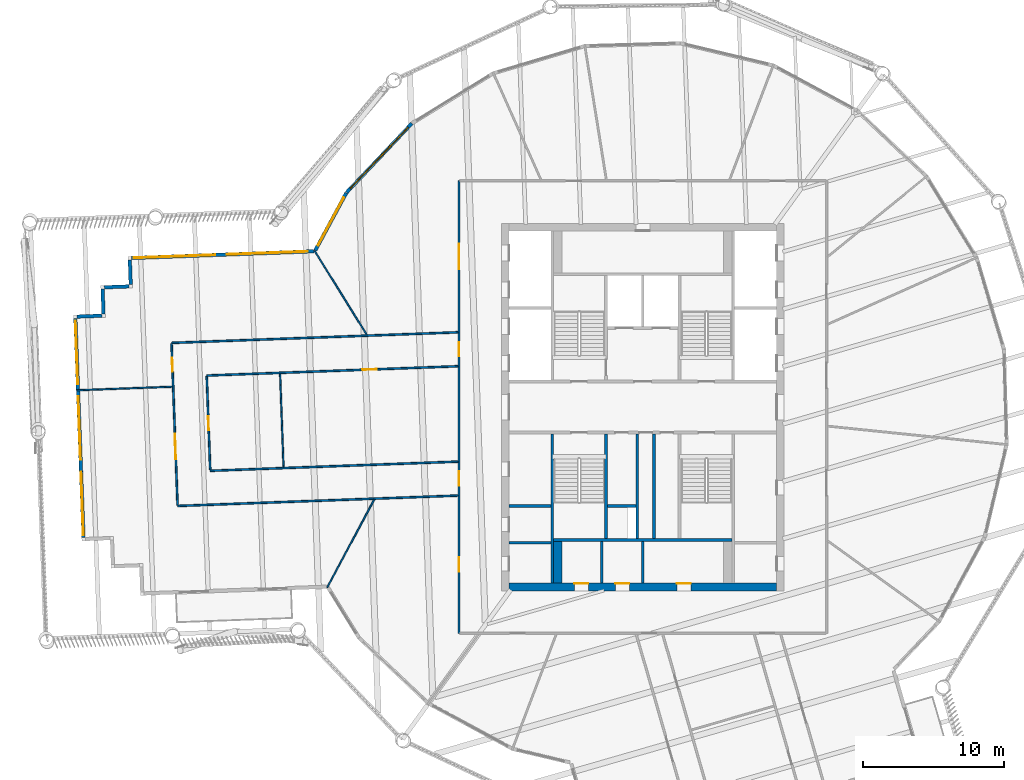
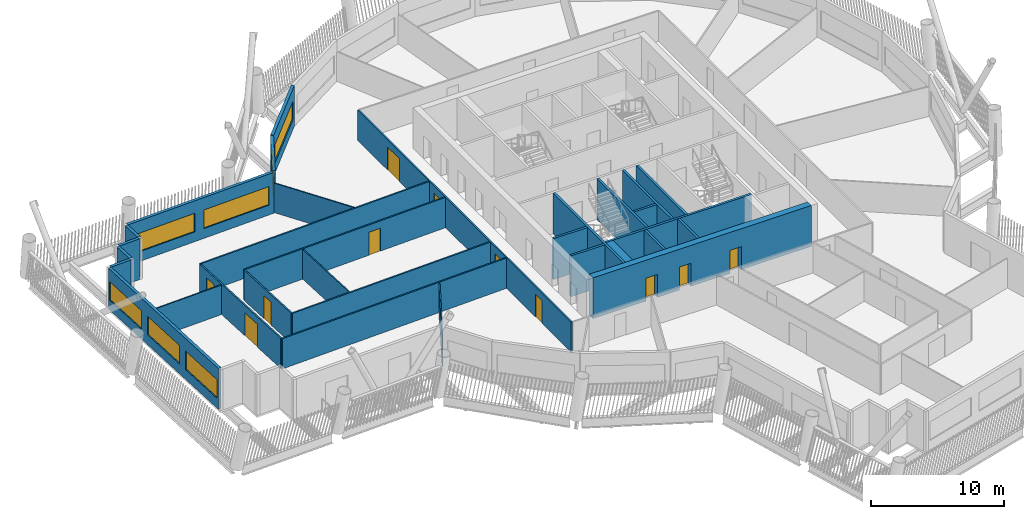
# One storey, part 4 of 20: 31 walls, 11 doors, 7 windows, 18 openings.
"""IFC4 building model written with IfcOpenShell, lengths in metres."""

from ifc_helpers import new_model, si_unit, direction, frame, frame_2d, origin, place, context, subcontext, project, spatial, rectangle, extrude, material, layer, layer_set, type_object, element, fill, save


model = new_model("IFC4")

# Units and contexts
model_context = context("Model", 3, precision=1e-05, world=origin(), true_north=direction((0.0, 1.0)))
body_context = subcontext(model_context, "Body", "Model", "MODEL_VIEW")
ifc_project = project(units=[si_unit("LENGTHUNIT", "METRE"), si_unit("AREAUNIT", "SQUARE_METRE"), si_unit("VOLUMEUNIT", "CUBIC_METRE"), si_unit("PLANEANGLEUNIT", "RADIAN"), si_unit("MASSUNIT", "GRAM", prefix="KILO")], contexts=[model_context])

# Site, building, storey
site_placement = place(None, origin())
site = spatial("IfcSite", under=ifc_project, at=site_placement, CompositionType="ELEMENT")
building_placement = place(site_placement, origin())
building = spatial("IfcBuilding", under=site, at=building_placement, Name="Tarsis Ring Headquarters", CompositionType="ELEMENT")
storey_placement = place(building_placement, frame((0.0, 0.0, 294.199951171875)))
storey = spatial("IfcBuildingStorey", under=building, at=storey_placement, Name="L69", CompositionType="ELEMENT", Elevation=294.199951171875)

# Walls
ifc_material_1 = material(Name="Blockwork", Category="masonry")
ifc_layer_1 = layer(ifc_material_1, 0.199951171875)
ifc_layer_set_1 = layer_set([ifc_layer_1], Name="Core blockwork wall 200")
wall_type_1 = type_object("IfcWallType", Name="Core blockwork wall 200", PredefinedType="PARTITIONING", material=ifc_layer_set_1)
for number, where, z_axis, x_axis, name in (
    (1, (-9.449951171875, -9.60009765625, 0.0), (0.0, 0.0, 1.0), (1.0, 0.0, 0.0), "Core partition WD1"),
    (2, (-9.449951171875, -7.0, 0.0), (0.0, 0.0, 1.0), (1.0, 0.0, 0.0), "Core partition WD2"),
    (3, (-2.89990234375, -12.449951171875, 0.0), (0.0, 0.0, 1.0), (0.0, 1.0, 0.0), "Core partition SD1"),
    (4, (0.0, -12.449951171875, 0.0), (0.0, 0.0, 1.0), (0.0, 1.0, 0.0), "Core partition SD2"),
):
    element("IfcWall", number, at=place(storey_placement, frame(where, z_axis=z_axis, x_axis=x_axis)), inside=storey, type_object=wall_type_1, Name=name, PredefinedType="PARTITIONING", context=body_context, shape_type="SweptSolid", body=[
        extrude(rectangle(XDim=2.949951171875, YDim=0.199951171875, at=frame_2d((1.47509765625, 0.0))), origin(), (0.0, 0.0, 1.0), 3.739990234375),
    ])
wall_1_placement = place(storey_placement, frame((-2.5, -7.0, 0.0), z_axis=(0.0, 0.0, 1.0), x_axis=(1.0, 0.0, 0.0)))
element("IfcWall", 5, at=wall_1_placement, inside=storey, type_object=wall_type_1, Name="Core partition SP1", PredefinedType="PARTITIONING", context=body_context, shape_type="SweptSolid", body=[
    extrude(rectangle(XDim=2.0, YDim=0.199951171875, at=frame_2d((1.0, 0.0))), origin(), (0.0, 0.0, 1.0), 3.739990234375),
])
for number, where, z_axis, x_axis, name in (
    (6, (-0.39990234375, -9.300048828125, 0.0), (0.0, 0.0, 1.0), (0.0, 1.0, 0.0), "Core partition SV1"),
    (7, (0.800048828125, -9.300048828125, 0.0), (0.0, 0.0, 1.0), (0.0, 1.0, 0.0), "Core partition SV2"),
):
    element("IfcWall", number, at=place(storey_placement, frame(where, z_axis=z_axis, x_axis=x_axis)), inside=storey, type_object=wall_type_1, Name=name, PredefinedType="PARTITIONING", context=body_context, shape_type="SweptSolid", body=[
        extrude(rectangle(XDim=7.400146484375, YDim=0.199951171875, at=frame_2d((3.7001953125, 0.0))), origin(), (0.0, 0.0, 1.0), 3.739990234375),
    ])

# Wall, openings, doors
ifc_material_2 = material(Name="Concrete C50/60", Category="concrete")
ifc_layer_2 = layer(ifc_material_2, 0.550048828125)
ifc_layer_set_2 = layer_set([ifc_layer_2], Name="Core wall 550 C50/60")
wall_type_2 = type_object("IfcWallType", Name="Core wall 550 C50/60", PredefinedType="SHEAR", material=ifc_layer_set_2)
wall_2_placement = place(storey_placement, frame((-9.449951171875, -12.72509765625, 0.0), z_axis=(0.0, 0.0, 1.0), x_axis=(1.0, 0.0, 0.0)))
wall_2 = element("IfcWall", 8, at=wall_2_placement, inside=storey, type_object=wall_type_2, Name="Core wall OS", PredefinedType="SHEAR", context=body_context, shape_type="SweptSolid", body=[
    extrude(rectangle(XDim=18.89990234375, YDim=0.550048828125, at=frame_2d((9.449951171875, 0.0))), origin(), (0.0, 0.0, 1.0), 3.739990234375),
])
opening_1_placement = place(wall_2_placement, frame((4.60009765625, 0.0, 0.0)))
opening_1 = element("IfcOpeningElement", 9, at=opening_1_placement, cuts=wall_2, Name="Opening L69-C17", PredefinedType="OPENING", context=body_context, shape_type="SweptSolid", body=[
    extrude(rectangle(XDim=1.0, YDim=2.10009765625, at=frame_2d((0.5, 1.050048828125))), frame((0.0, 0.284912109375, 0.0), z_axis=(0.0, -1.0, 0.0), x_axis=(1.0, 0.0, 0.0)), (0.0, 0.0, 1.0), 0.570068359375),
])
opening_2_placement = place(wall_2_placement, frame((7.5, 0.0, 0.0)))
opening_2 = element("IfcOpeningElement", 10, at=opening_2_placement, cuts=wall_2, Name="Opening L69-C18", PredefinedType="OPENING", context=body_context, shape_type="SweptSolid", body=[
    extrude(rectangle(XDim=1.0, YDim=2.10009765625, at=frame_2d((0.5, 1.050048828125))), frame((0.0, 0.284912109375, 0.0), z_axis=(0.0, -1.0, 0.0), x_axis=(1.0, 0.0, 0.0)), (0.0, 0.0, 1.0), 0.570068359375),
])
opening_3_placement = place(wall_2_placement, frame((11.85009765625, 0.0, 0.0)))
opening_3 = element("IfcOpeningElement", 11, at=opening_3_placement, cuts=wall_2, Name="Opening L69-C19", PredefinedType="OPENING", context=body_context, shape_type="SweptSolid", body=[
    extrude(rectangle(XDim=1.0, YDim=2.10009765625, at=frame_2d((0.5, 1.050048828125))), frame((0.0, 0.284912109375, 0.0), z_axis=(0.0, -1.0, 0.0), x_axis=(1.0, 0.0, 0.0)), (0.0, 0.0, 1.0), 0.570068359375),
])
ifc_material_3 = material(Name="Steel S355", Category="steel")
door_type_1 = type_object("IfcDoorType", Name="Core room door 1000x2100", OperationType="SINGLE_SWING_LEFT", PredefinedType="DOOR", material=ifc_material_3)
door_1_placement = place(opening_1_placement, origin())
door_1 = element("IfcDoor", 12, at=door_1_placement, inside=storey, type_object=door_type_1, Name="Core room door L69", OperationType="SINGLE_SWING_LEFT", OverallHeight=2.10009765625, OverallWidth=1.0, PredefinedType="DOOR", context=body_context, shape_type="SweptSolid", body=[
    extrude(rectangle(XDim=1.0, YDim=2.10009765625, at=frame_2d((0.5, 1.050048828125))), frame((0.0, 0.27490234375, 0.0), z_axis=(0.0, -1.0, 0.0), x_axis=(1.0, 0.0, 0.0)), (0.0, 0.0, 1.0), 0.050048828125),
])
fill(opening_1, door_1)
door_2_placement = place(opening_2_placement, origin())
door_2 = element("IfcDoor", 13, at=door_2_placement, inside=storey, type_object=door_type_1, Name="Core room door L69", OperationType="SINGLE_SWING_LEFT", OverallHeight=2.10009765625, OverallWidth=1.0, PredefinedType="DOOR", context=body_context, shape_type="SweptSolid", body=[
    extrude(rectangle(XDim=1.0, YDim=2.10009765625, at=frame_2d((0.5, 1.050048828125))), frame((0.0, 0.27490234375, 0.0), z_axis=(0.0, -1.0, 0.0), x_axis=(1.0, 0.0, 0.0)), (0.0, 0.0, 1.0), 0.050048828125),
])
fill(opening_2, door_2)
door_3_placement = place(opening_3_placement, origin())
door_3 = element("IfcDoor", 14, at=door_3_placement, inside=storey, type_object=door_type_1, Name="Core room door L69", OperationType="SINGLE_SWING_LEFT", OverallHeight=2.10009765625, OverallWidth=1.0, PredefinedType="DOOR", context=body_context, shape_type="SweptSolid", body=[
    extrude(rectangle(XDim=1.0, YDim=2.10009765625, at=frame_2d((0.5, 1.050048828125))), frame((0.0, 0.27490234375, 0.0), z_axis=(0.0, -1.0, 0.0), x_axis=(1.0, 0.0, 0.0)), (0.0, 0.0, 1.0), 0.050048828125),
])
fill(opening_3, door_3)

# Walls
ifc_material_4 = material(Name="Gypsum board on steel studs", Category="steel")
ifc_layer_3 = layer(ifc_material_4, 0.10009765625)
ifc_layer_set_3 = layer_set([ifc_layer_3], Name="FL partition 100 unrated")
wall_type_3 = type_object("IfcWallType", Name="FL partition 100 unrated", PredefinedType="PARTITIONING", material=ifc_layer_set_3)
wall_3_placement = place(storey_placement, frame((-22.322509765625, -12.759521484375, 0.0), z_axis=(0.0, 0.0, 1.0), x_axis=(0.471472706256, 0.881880653635, 0.0)))
element("IfcWall", 15, at=wall_3_placement, inside=storey, type_object=wall_type_3, Name="Partition PW3", PredefinedType="PARTITIONING", context=body_context, shape_type="SweptSolid", body=[
    extrude(rectangle(XDim=7.032470703125, YDim=0.10009765625, at=frame_2d((3.51611328125, 0.0))), origin(), (0.0, 0.0, 1.0), 2.699951171875),
])
wall_4_placement = place(storey_placement, frame((-23.228271484375, 11.0732421875, 0.0), z_axis=(0.0, 0.0, 1.0), x_axis=(0.527996690364, -0.849246427702, 0.0)))
element("IfcWall", 16, at=wall_4_placement, inside=storey, type_object=wall_type_3, Name="Partition PW3", PredefinedType="PARTITIONING", context=body_context, shape_type="SweptSolid", body=[
    extrude(rectangle(XDim=6.997802734375, YDim=0.10009765625, at=frame_2d((3.4990234375, 0.0))), origin(), (0.0, 0.0, 1.0), 2.699951171875),
])
wall_5_placement = place(storey_placement, frame((-25.654541015625, 2.3525390625, 0.0), z_axis=(0.0, 0.0, 1.0), x_axis=(0.036991138021, -0.999315593648, 0.0)))
element("IfcWall", 17, at=wall_5_placement, inside=storey, type_object=wall_type_3, Name="Partition PW3", PredefinedType="PARTITIONING", context=body_context, shape_type="SweptSolid", body=[
    extrude(rectangle(XDim=6.60009765625, YDim=0.10009765625, at=frame_2d((3.300048828125, 0.0))), origin(), (0.0, 0.0, 1.0), 2.699951171875),
])
wall_6_placement = place(storey_placement, frame((-40.021484375, 1.190185546875, 0.0), z_axis=(0.0, 0.0, 1.0), x_axis=(0.999314585652, 0.037018359003, 0.0)))
element("IfcWall", 18, at=wall_6_placement, inside=storey, type_object=wall_type_3, Name="Partition PW3", PredefinedType="PARTITIONING", context=body_context, shape_type="SweptSolid", body=[
    extrude(rectangle(XDim=6.740234375, YDim=0.10009765625, at=frame_2d((3.3701171875, 0.0))), origin(), (0.0, 0.0, 1.0), 2.699951171875),
])

# Wall, openings, doors
ifc_layer_4 = layer(ifc_material_4, 0.125)
ifc_layer_set_4 = layer_set([ifc_layer_4], Name="FL partition 125 EI 60 H2770")
wall_type_4 = type_object("IfcWallType", Name="FL partition 125 EI 60 H2770", PredefinedType="PARTITIONING", material=ifc_layer_set_4)
wall_7_placement = place(storey_placement, frame((-13.0, -16.0, 0.0), z_axis=(0.0, 0.0, 1.0), x_axis=(0.0, 1.0, 0.0)))
wall_7 = element("IfcWall", 19, at=wall_7_placement, inside=storey, type_object=wall_type_4, Name="Partition PW1", PredefinedType="PARTITIONING", context=body_context, shape_type="SweptSolid", body=[
    extrude(rectangle(XDim=32.0, YDim=0.125, at=frame_2d((16.0, 0.0))), origin(), (0.0, 0.0, 1.0), 2.77001953125),
])
opening_4_placement = place(wall_7_placement, frame((25.746337890625, 0.0, 0.0)))
opening_4 = element("IfcOpeningElement", 20, at=opening_4_placement, cuts=wall_7, Name="Opening D69.03", PredefinedType="OPENING", context=body_context, shape_type="SweptSolid", body=[
    extrude(rectangle(XDim=1.800048828125, YDim=2.10009765625, at=frame_2d((0.89990234375, 1.050048828125))), frame((0.0, 0.072509765625, 0.0), z_axis=(0.0, -1.0, 0.0), x_axis=(1.0, 0.0, 0.0)), (0.0, 0.0, 1.0), 0.14501953125),
])
opening_5_placement = place(wall_7_placement, frame((4.372314453125, 0.0, 0.0)))
opening_5 = element("IfcOpeningElement", 21, at=opening_5_placement, cuts=wall_7, Name="Opening D69.14", PredefinedType="OPENING", context=body_context, shape_type="SweptSolid", body=[
    extrude(rectangle(XDim=1.0, YDim=2.10009765625, at=frame_2d((0.5, 1.050048828125))), frame((0.0, 0.072509765625, 0.0), z_axis=(0.0, -1.0, 0.0), x_axis=(1.0, 0.0, 0.0)), (0.0, 0.0, 1.0), 0.14501953125),
])
opening_6_placement = place(wall_7_placement, frame((10.445556640625, 0.0, 0.0)))
opening_6 = element("IfcOpeningElement", 22, at=opening_6_placement, cuts=wall_7, Name="Opening D69.21", PredefinedType="OPENING", context=body_context, shape_type="SweptSolid", body=[
    extrude(rectangle(XDim=1.0, YDim=2.10009765625, at=frame_2d((0.5, 1.050048828125))), frame((0.0, 0.072509765625, 0.0), z_axis=(0.0, -1.0, 0.0), x_axis=(1.0, 0.0, 0.0)), (0.0, 0.0, 1.0), 0.14501953125),
])
opening_7_placement = place(wall_7_placement, frame((19.591796875, 0.0, 0.0)))
opening_7 = element("IfcOpeningElement", 23, at=opening_7_placement, cuts=wall_7, Name="Opening D69.22", PredefinedType="OPENING", context=body_context, shape_type="SweptSolid", body=[
    extrude(rectangle(XDim=1.0, YDim=2.10009765625, at=frame_2d((0.5, 1.050048828125))), frame((0.0, 0.072509765625, 0.0), z_axis=(0.0, -1.0, 0.0), x_axis=(1.0, 0.0, 0.0)), (0.0, 0.0, 1.0), 0.14501953125),
])
ifc_material_5 = material(Name="Fire-rated timber door leaf in steel frame", Category="steel")
door_type_2 = type_object("IfcDoorType", Name="FL door FD60-1000", OperationType="NOTDEFINED", PredefinedType="DOOR", material=ifc_material_5)
door_4_placement = place(opening_5_placement, origin())
door_4 = element("IfcDoor", 24, at=door_4_placement, inside=storey, type_object=door_type_2, Name="Door D69.14", OperationType="SINGLE_SWING_LEFT", OverallHeight=2.10009765625, OverallWidth=1.0, PredefinedType="DOOR", context=body_context, shape_type="SweptSolid", body=[
    extrude(rectangle(XDim=1.0, YDim=2.10009765625, at=frame_2d((0.5, 1.050048828125))), frame((0.0, 0.02490234375, 0.0), z_axis=(0.0, -1.0, 0.0), x_axis=(1.0, 0.0, 0.0)), (0.0, 0.0, 1.0), 0.050048828125),
])
fill(opening_5, door_4)
door_5_placement = place(opening_6_placement, origin())
door_5 = element("IfcDoor", 25, at=door_5_placement, inside=storey, type_object=door_type_2, Name="Door D69.21", OperationType="SINGLE_SWING_RIGHT", OverallHeight=2.10009765625, OverallWidth=1.0, PredefinedType="DOOR", context=body_context, shape_type="SweptSolid", body=[
    extrude(rectangle(XDim=1.0, YDim=2.10009765625, at=frame_2d((0.5, 1.050048828125))), frame((0.0, 0.02490234375, 0.0), z_axis=(0.0, -1.0, 0.0), x_axis=(1.0, 0.0, 0.0)), (0.0, 0.0, 1.0), 0.050048828125),
])
fill(opening_6, door_5)
door_6_placement = place(opening_7_placement, origin())
door_6 = element("IfcDoor", 26, at=door_6_placement, inside=storey, type_object=door_type_2, Name="Door D69.22", OperationType="SINGLE_SWING_LEFT", OverallHeight=2.10009765625, OverallWidth=1.0, PredefinedType="DOOR", context=body_context, shape_type="SweptSolid", body=[
    extrude(rectangle(XDim=1.0, YDim=2.10009765625, at=frame_2d((0.5, 1.050048828125))), frame((0.0, 0.02490234375, 0.0), z_axis=(0.0, -1.0, 0.0), x_axis=(1.0, 0.0, 0.0)), (0.0, 0.0, 1.0), 0.050048828125),
])
fill(opening_7, door_6)
door_type_3 = type_object("IfcDoorType", Name="FL door FD60-1800", OperationType="DOUBLE_DOOR_SINGLE_SWING", PredefinedType="DOOR", material=ifc_material_5)
door_7_placement = place(opening_4_placement, origin())
door_7 = element("IfcDoor", 27, at=door_7_placement, inside=storey, type_object=door_type_3, Name="Door D69.03", OperationType="DOUBLE_DOOR_SINGLE_SWING", OverallHeight=2.10009765625, OverallWidth=1.800048828125, PredefinedType="DOOR", context=body_context, shape_type="SweptSolid", body=[
    extrude(rectangle(XDim=1.800048828125, YDim=2.10009765625, at=frame_2d((0.89990234375, 1.050048828125))), frame((0.0, 0.02490234375, 0.0), z_axis=(0.0, -1.0, 0.0), x_axis=(1.0, 0.0, 0.0)), (0.0, 0.0, 1.0), 0.050048828125),
])
fill(opening_4, door_7)

# Walls
wall_8_placement = place(storey_placement, frame((-33.330810546875, 4.5400390625, 0.0), z_axis=(0.0, 0.0, 1.0), x_axis=(0.999315559375, 0.036992063894, 0.0)))
element("IfcWall", 28, at=wall_8_placement, inside=storey, type_object=wall_type_4, Name="Partition PW1", PredefinedType="PARTITIONING", context=body_context, shape_type="SweptSolid", body=[
    extrude(rectangle(XDim=20.274658203125, YDim=0.125, at=frame_2d((10.13720703125, 0.0))), origin(), (0.0, 0.0, 1.0), 2.77001953125),
])
wall_9_placement = place(storey_placement, frame((-32.90380859375, -6.991943359375, 0.0), z_axis=(0.0, 0.0, 1.0), x_axis=(0.999315676038, 0.036988912195, 0.0)))
element("IfcWall", 29, at=wall_9_placement, inside=storey, type_object=wall_type_4, Name="Partition PW1", PredefinedType="PARTITIONING", context=body_context, shape_type="SweptSolid", body=[
    extrude(rectangle(XDim=19.847412109375, YDim=0.125, at=frame_2d((9.923828125, 0.0))), origin(), (0.0, 0.0, 1.0), 2.77001953125),
])

# Wall, opening, door
wall_10_placement = place(storey_placement, frame((-30.843505859375, 2.23046875, 0.0), z_axis=(0.0, 0.0, 1.0), x_axis=(0.999315491746, 0.0369938908, 0.0)))
wall_10 = element("IfcWall", 30, at=wall_10_placement, inside=storey, type_object=wall_type_4, Name="Partition PW1", PredefinedType="PARTITIONING", context=body_context, shape_type="SweptSolid", body=[
    extrude(rectangle(XDim=17.78564453125, YDim=0.125, at=frame_2d((8.892822265625, 0.0))), origin(), (0.0, 0.0, 1.0), 2.77001953125),
])
opening_8_placement = place(wall_10_placement, frame((11.02490234375, 0.0, 0.0)))
opening_8 = element("IfcOpeningElement", 31, at=opening_8_placement, cuts=wall_10, Name="Opening D69.15", PredefinedType="OPENING", context=body_context, shape_type="SweptSolid", body=[
    extrude(rectangle(XDim=1.0, YDim=2.10009765625, at=frame_2d((0.5, 1.050048828125))), frame((0.0, 0.072509765625, 0.0), z_axis=(0.0, -1.0, 0.0), x_axis=(1.0, 0.0, 0.0)), (0.0, 0.0, 1.0), 0.14501953125),
])
door_8_placement = place(opening_8_placement, origin())
door_8 = element("IfcDoor", 32, at=door_8_placement, inside=storey, type_object=door_type_2, Name="Door D69.15", OperationType="SINGLE_SWING_RIGHT", OverallHeight=2.10009765625, OverallWidth=1.0, PredefinedType="DOOR", context=body_context, shape_type="SweptSolid", body=[
    extrude(rectangle(XDim=1.0, YDim=2.10009765625, at=frame_2d((0.5, 1.050048828125))), frame((0.0, 0.02490234375, 0.0), z_axis=(0.0, -1.0, 0.0), x_axis=(1.0, 0.0, 0.0)), (0.0, 0.0, 1.0), 0.050048828125),
])
fill(opening_8, door_8)

# Wall
wall_11_placement = place(storey_placement, frame((-30.59423828125, -4.5048828125, 0.0), z_axis=(0.0, 0.0, 1.0), x_axis=(0.99931559641, 0.036991063398, 0.0)))
element("IfcWall", 33, at=wall_11_placement, inside=storey, type_object=wall_type_4, Name="Partition PW1", PredefinedType="PARTITIONING", context=body_context, shape_type="SweptSolid", body=[
    extrude(rectangle(XDim=17.5361328125, YDim=0.125, at=frame_2d((8.76806640625, 0.0))), origin(), (0.0, 0.0, 1.0), 2.77001953125),
])

# Wall, openings, doors
wall_12_placement = place(storey_placement, frame((-33.32861328125, 4.480224609375, 0.0), z_axis=(0.0, 0.0, 1.0), x_axis=(0.037006125536, -0.99931503875, 0.0)))
wall_12 = element("IfcWall", 34, at=wall_12_placement, inside=storey, type_object=wall_type_4, Name="Partition PW1", PredefinedType="PARTITIONING", context=body_context, shape_type="SweptSolid", body=[
    extrude(rectangle(XDim=11.419921875, YDim=0.125, at=frame_2d((5.7099609375, 0.0))), origin(), (0.0, 0.0, 1.0), 2.77001953125),
])
opening_9_placement = place(wall_12_placement, frame((6.36181640625, 0.0, 0.0)))
opening_9 = element("IfcOpeningElement", 35, at=opening_9_placement, cuts=wall_12, Name="Opening D69.01", PredefinedType="OPENING", context=body_context, shape_type="SweptSolid", body=[
    extrude(rectangle(XDim=1.800048828125, YDim=2.10009765625, at=frame_2d((0.89990234375, 1.050048828125))), frame((0.0, 0.072509765625, 0.0), z_axis=(0.0, -1.0, 0.0), x_axis=(1.0, 0.0, 0.0)), (0.0, 0.0, 1.0), 0.14501953125),
])
opening_10_placement = place(wall_12_placement, frame((0.99169921875, 0.0, 0.0)))
opening_10 = element("IfcOpeningElement", 36, at=opening_10_placement, cuts=wall_12, Name="Opening D69.02", PredefinedType="OPENING", context=body_context, shape_type="SweptSolid", body=[
    extrude(rectangle(XDim=1.0, YDim=2.10009765625, at=frame_2d((0.5, 1.050048828125))), frame((0.0, 0.072509765625, 0.0), z_axis=(0.0, -1.0, 0.0), x_axis=(1.0, 0.0, 0.0)), (0.0, 0.0, 1.0), 0.14501953125),
])
door_9_placement = place(opening_10_placement, origin())
door_9 = element("IfcDoor", 37, at=door_9_placement, inside=storey, type_object=door_type_2, Name="Door D69.02", OperationType="SINGLE_SWING_LEFT", OverallHeight=2.10009765625, OverallWidth=1.0, PredefinedType="DOOR", context=body_context, shape_type="SweptSolid", body=[
    extrude(rectangle(XDim=1.0, YDim=2.10009765625, at=frame_2d((0.5, 1.050048828125))), frame((0.0, 0.02490234375, 0.0), z_axis=(0.0, -1.0, 0.0), x_axis=(1.0, 0.0, 0.0)), (0.0, 0.0, 1.0), 0.050048828125),
])
fill(opening_10, door_9)
door_10_placement = place(opening_9_placement, origin())
door_10 = element("IfcDoor", 38, at=door_10_placement, inside=storey, type_object=door_type_3, Name="Door D69.01", OperationType="DOUBLE_DOOR_SINGLE_SWING", OverallHeight=2.10009765625, OverallWidth=1.800048828125, PredefinedType="DOOR", context=body_context, shape_type="SweptSolid", body=[
    extrude(rectangle(XDim=1.800048828125, YDim=2.10009765625, at=frame_2d((0.89990234375, 1.050048828125))), frame((0.0, 0.02490234375, 0.0), z_axis=(0.0, -1.0, 0.0), x_axis=(1.0, 0.0, 0.0)), (0.0, 0.0, 1.0), 0.050048828125),
])
fill(opening_9, door_10)

# Wall, opening, door
wall_13_placement = place(storey_placement, frame((-30.84130859375, 2.170654296875, 0.0), z_axis=(0.0, 0.0, 1.0), x_axis=(0.036989836099, -0.99931564184, 0.0)))
wall_13 = element("IfcWall", 39, at=wall_13_placement, inside=storey, type_object=wall_type_4, Name="Partition PW1", PredefinedType="PARTITIONING", context=body_context, shape_type="SweptSolid", body=[
    extrude(rectangle(XDim=6.6201171875, YDim=0.125, at=frame_2d((3.31005859375, 0.0))), origin(), (0.0, 0.0, 1.0), 2.77001953125),
])
opening_11_placement = place(wall_13_placement, frame((2.81005859375, 0.0, 0.0)))
opening_11 = element("IfcOpeningElement", 40, at=opening_11_placement, cuts=wall_13, Name="Opening D69.16", PredefinedType="OPENING", context=body_context, shape_type="SweptSolid", body=[
    extrude(rectangle(XDim=1.0, YDim=2.10009765625, at=frame_2d((0.5, 1.050048828125))), frame((0.0, 0.072509765625, 0.0), z_axis=(0.0, -1.0, 0.0), x_axis=(1.0, 0.0, 0.0)), (0.0, 0.0, 1.0), 0.14501953125),
])
door_11_placement = place(opening_11_placement, origin())
door_11 = element("IfcDoor", 41, at=door_11_placement, inside=storey, type_object=door_type_2, Name="Door D69.16", OperationType="SINGLE_SWING_LEFT", OverallHeight=2.10009765625, OverallWidth=1.0, PredefinedType="DOOR", context=body_context, shape_type="SweptSolid", body=[
    extrude(rectangle(XDim=1.0, YDim=2.10009765625, at=frame_2d((0.5, 1.050048828125))), frame((0.0, 0.02490234375, 0.0), z_axis=(0.0, -1.0, 0.0), x_axis=(1.0, 0.0, 0.0)), (0.0, 0.0, 1.0), 0.050048828125),
])
fill(opening_11, door_11)

# Wall, opening, window
ifc_material_6 = material(Name="Terracotta clad insulated panel wall", Category="masonry")
ifc_layer_5 = layer(ifc_material_6, 0.25)
ifc_layer_set_5 = layer_set([ifc_layer_5], Name="Facade wall terracotta panel 250")
wall_type_5 = type_object("IfcWallType", Name="Facade wall terracotta panel 250", PredefinedType="STANDARD", material=ifc_layer_set_5)
wall_14_placement = place(storey_placement, frame((-16.33642578125, 20.061767578125, 0.0), z_axis=(0.0, 0.0, 1.0), x_axis=(-0.686828288239, -0.726819718, 0.0)))
wall_14 = element("IfcWall", 42, at=wall_14_placement, inside=storey, type_object=wall_type_5, Name="External wall L69-29", PredefinedType="STANDARD", context=body_context, shape_type="SweptSolid", body=[
    extrude(rectangle(XDim=6.721435546875, YDim=0.25, at=frame_2d((3.36083984375, 0.0))), origin(), (0.0, 0.0, 1.0), 3.739990234375),
])
opening_12_placement = place(wall_14_placement, frame((0.3857421875, 0.0, 0.89990234375)))
opening_12 = element("IfcOpeningElement", 43, at=opening_12_placement, cuts=wall_14, Name="Opening WN07", PredefinedType="OPENING", context=body_context, shape_type="SweptSolid", body=[
    extrude(rectangle(XDim=5.949951171875, YDim=1.699951171875, at=frame_2d((2.97509765625, 0.85009765625))), frame((0.0, 0.135009765625, 0.0), z_axis=(0.0, -1.0, 0.0), x_axis=(1.0, 0.0, 0.0)), (0.0, 0.0, 1.0), 0.27001953125),
])
ifc_material_7 = material(Name="Aluminium framed double glazing", Category="aluminium")
window_type_1 = type_object("IfcWindowType", Name="Facade window 5950 x 1700", PartitioningType="SINGLE_PANEL", PredefinedType="WINDOW", material=ifc_material_7)
window_1_placement = place(opening_12_placement, origin())
window_1 = element("IfcWindow", 44, at=window_1_placement, inside=storey, type_object=window_type_1, Name="Window L69-29.1", OverallHeight=1.699951171875, OverallWidth=5.949951171875, PartitioningType="SINGLE_PANEL", PredefinedType="WINDOW", context=body_context, shape_type="SweptSolid", body=[
    extrude(rectangle(XDim=5.949951171875, YDim=1.699951171875, at=frame_2d((2.97509765625, 0.85009765625))), frame((0.0, 0.030029296875, 0.0), z_axis=(0.0, -1.0, 0.0), x_axis=(1.0, 0.0, 0.0)), (0.0, 0.0, 1.0), 0.06005859375),
])
fill(opening_12, window_1)

wall_15_placement = place(storey_placement, frame((-20.97216796875, 15.14990234375, 0.0), z_axis=(0.0, 0.0, 1.0), x_axis=(-0.475306913121, -0.879820060205, 0.0)))
wall_15 = element("IfcWall", 45, at=wall_15_placement, inside=storey, type_object=wall_type_5, Name="External wall L69-30", PredefinedType="STANDARD", context=body_context, shape_type="SweptSolid", body=[
    extrude(rectangle(XDim=4.61767578125, YDim=0.25, at=frame_2d((2.308837890625, 0.0))), origin(), (0.0, 0.0, 1.0), 3.739990234375),
])
opening_13_placement = place(wall_15_placement, frame((0.367431640625, 0.0, 0.89990234375)))
opening_13 = element("IfcOpeningElement", 46, at=opening_13_placement, cuts=wall_15, Name="Opening WN02", PredefinedType="OPENING", context=body_context, shape_type="SweptSolid", body=[
    extrude(rectangle(XDim=3.85009765625, YDim=1.699951171875, at=frame_2d((1.925048828125, 0.85009765625))), frame((0.0, 0.135009765625, 0.0), z_axis=(0.0, -1.0, 0.0), x_axis=(1.0, 0.0, 0.0)), (0.0, 0.0, 1.0), 0.27001953125),
])
window_type_2 = type_object("IfcWindowType", Name="Facade window 3850 x 1700", PartitioningType="SINGLE_PANEL", PredefinedType="WINDOW", material=ifc_material_7)
window_2_placement = place(opening_13_placement, origin())
window_2 = element("IfcWindow", 47, at=window_2_placement, inside=storey, type_object=window_type_2, Name="Window L69-30.1", OverallHeight=1.699951171875, OverallWidth=3.85009765625, PartitioningType="SINGLE_PANEL", PredefinedType="WINDOW", context=body_context, shape_type="SweptSolid", body=[
    extrude(rectangle(XDim=3.85009765625, YDim=1.699951171875, at=frame_2d((1.925048828125, 0.85009765625))), frame((0.0, 0.030029296875, 0.0), z_axis=(0.0, -1.0, 0.0), x_axis=(1.0, 0.0, 0.0)), (0.0, 0.0, 1.0), 0.06005859375),
])
fill(opening_13, window_2)

# Wall, openings, windows
wall_16_placement = place(storey_placement, frame((-23.2724609375, 11.021728515625, 0.0), z_axis=(0.0, 0.0, 1.0), x_axis=(-0.999315403958, -0.036996262138, 0.0)))
wall_16 = element("IfcWall", 48, at=wall_16_placement, inside=storey, type_object=wall_type_5, Name="External wall L69-31", PredefinedType="STANDARD", context=body_context, shape_type="SweptSolid", body=[
    extrude(rectangle(XDim=12.901123046875, YDim=0.25, at=frame_2d((6.45068359375, 0.0))), origin(), (0.0, 0.0, 1.0), 3.739990234375),
])
opening_14_placement = place(wall_16_placement, frame((0.412841796875, 0.0, 0.89990234375)))
opening_14 = element("IfcOpeningElement", 49, at=opening_14_placement, cuts=wall_16, Name="Opening WN06", PredefinedType="OPENING", context=body_context, shape_type="SweptSolid", body=[
    extrude(rectangle(XDim=5.75, YDim=1.699951171875, at=frame_2d((2.875, 0.85009765625))), frame((0.0, 0.135009765625, 0.0), z_axis=(0.0, -1.0, 0.0), x_axis=(1.0, 0.0, 0.0)), (0.0, 0.0, 1.0), 0.27001953125),
])
opening_15_placement = place(wall_16_placement, frame((6.988525390625, 0.0, 0.89990234375)))
opening_15 = element("IfcOpeningElement", 50, at=opening_15_placement, cuts=wall_16, Name="Opening WN06", PredefinedType="OPENING", context=body_context, shape_type="SweptSolid", body=[
    extrude(rectangle(XDim=5.75, YDim=1.699951171875, at=frame_2d((2.875, 0.85009765625))), frame((0.0, 0.135009765625, 0.0), z_axis=(0.0, -1.0, 0.0), x_axis=(1.0, 0.0, 0.0)), (0.0, 0.0, 1.0), 0.27001953125),
])
window_type_3 = type_object("IfcWindowType", Name="Facade window 5750 x 1700", PartitioningType="SINGLE_PANEL", PredefinedType="WINDOW", material=ifc_material_7)
window_3_placement = place(opening_14_placement, origin())
window_3 = element("IfcWindow", 51, at=window_3_placement, inside=storey, type_object=window_type_3, Name="Window L69-31.1", OverallHeight=1.699951171875, OverallWidth=5.75, PartitioningType="SINGLE_PANEL", PredefinedType="WINDOW", context=body_context, shape_type="SweptSolid", body=[
    extrude(rectangle(XDim=5.75, YDim=1.699951171875, at=frame_2d((2.875, 0.85009765625))), frame((0.0, 0.030029296875, 0.0), z_axis=(0.0, -1.0, 0.0), x_axis=(1.0, 0.0, 0.0)), (0.0, 0.0, 1.0), 0.06005859375),
])
fill(opening_14, window_3)
window_4_placement = place(opening_15_placement, origin())
window_4 = element("IfcWindow", 52, at=window_4_placement, inside=storey, type_object=window_type_3, Name="Window L69-31.2", OverallHeight=1.699951171875, OverallWidth=5.75, PartitioningType="SINGLE_PANEL", PredefinedType="WINDOW", context=body_context, shape_type="SweptSolid", body=[
    extrude(rectangle(XDim=5.75, YDim=1.699951171875, at=frame_2d((2.875, 0.85009765625))), frame((0.0, 0.030029296875, 0.0), z_axis=(0.0, -1.0, 0.0), x_axis=(1.0, 0.0, 0.0)), (0.0, 0.0, 1.0), 0.06005859375),
])
fill(opening_15, window_4)

# Walls
for number, where, z_axis, x_axis, name in (
    (53, (-36.28515625, 10.414794921875, 0.0), (0.0, 0.0, 1.0), (0.03697038055, -0.9993163618, 0.0), "External wall L69-32"),
    (54, (-36.340576171875, 8.53662109375, 0.0), (0.0, 0.0, 1.0), (-0.999311197872, -0.037109699656, 0.0), "External wall L69-33"),
    (55, (-38.209716796875, 8.34228515625, 0.0), (0.0, 0.0, 1.0), (0.03697038055, -0.9993163618, 0.0), "External wall L69-34"),
    (56, (-38.265380859375, 6.4638671875, 0.0), (0.0, 0.0, 1.0), (-0.9993163618, -0.03697038055, 0.0), "External wall L69-35"),
):
    element("IfcWall", number, at=place(storey_placement, frame(where, z_axis=z_axis, x_axis=x_axis)), inside=storey, type_object=wall_type_5, Name=name, PredefinedType="STANDARD", context=body_context, shape_type="SweptSolid", body=[
        extrude(rectangle(XDim=1.75, YDim=0.25, at=frame_2d((0.875, 0.0))), origin(), (0.0, 0.0, 1.0), 3.739990234375),
    ])

# Wall, openings, windows
wall_17_placement = place(storey_placement, frame((-40.13427734375, 6.26953125, 0.0), z_axis=(0.0, 0.0, 1.0), x_axis=(0.036983696812, -0.999315869067, 0.0)))
wall_17 = element("IfcWall", 57, at=wall_17_placement, inside=storey, type_object=wall_type_5, Name="External wall L69-36", PredefinedType="STANDARD", context=body_context, shape_type="SweptSolid", body=[
    extrude(rectangle(XDim=15.499755859375, YDim=0.25, at=frame_2d((7.75, 0.0))), origin(), (0.0, 0.0, 1.0), 3.739990234375),
])
opening_16_placement = place(wall_17_placement, frame((0.166748046875, 0.0, 0.89990234375)))
opening_16 = element("IfcOpeningElement", 58, at=opening_16_placement, cuts=wall_17, Name="Opening WN04", PredefinedType="OPENING", context=body_context, shape_type="SweptSolid", body=[
    extrude(rectangle(XDim=4.5, YDim=1.699951171875, at=frame_2d((2.25, 0.85009765625))), frame((0.0, 0.135009765625, 0.0), z_axis=(0.0, -1.0, 0.0), x_axis=(1.0, 0.0, 0.0)), (0.0, 0.0, 1.0), 0.27001953125),
])
opening_17_placement = place(wall_17_placement, frame((5.5, 0.0, 0.89990234375)))
opening_17 = element("IfcOpeningElement", 59, at=opening_17_placement, cuts=wall_17, Name="Opening WN04", PredefinedType="OPENING", context=body_context, shape_type="SweptSolid", body=[
    extrude(rectangle(XDim=4.5, YDim=1.699951171875, at=frame_2d((2.25, 0.85009765625))), frame((0.0, 0.135009765625, 0.0), z_axis=(0.0, -1.0, 0.0), x_axis=(1.0, 0.0, 0.0)), (0.0, 0.0, 1.0), 0.27001953125),
])
opening_18_placement = place(wall_17_placement, frame((10.833251953125, 0.0, 0.89990234375)))
opening_18 = element("IfcOpeningElement", 60, at=opening_18_placement, cuts=wall_17, Name="Opening WN04", PredefinedType="OPENING", context=body_context, shape_type="SweptSolid", body=[
    extrude(rectangle(XDim=4.5, YDim=1.699951171875, at=frame_2d((2.25, 0.85009765625))), frame((0.0, 0.135009765625, 0.0), z_axis=(0.0, -1.0, 0.0), x_axis=(1.0, 0.0, 0.0)), (0.0, 0.0, 1.0), 0.27001953125),
])
window_type_4 = type_object("IfcWindowType", Name="Facade window 4500 x 1700", PartitioningType="SINGLE_PANEL", PredefinedType="WINDOW", material=ifc_material_7)
window_5_placement = place(opening_16_placement, origin())
window_5 = element("IfcWindow", 61, at=window_5_placement, inside=storey, type_object=window_type_4, Name="Window L69-36.1", OverallHeight=1.699951171875, OverallWidth=4.5, PartitioningType="SINGLE_PANEL", PredefinedType="WINDOW", context=body_context, shape_type="SweptSolid", body=[
    extrude(rectangle(XDim=4.5, YDim=1.699951171875, at=frame_2d((2.25, 0.85009765625))), frame((0.0, 0.030029296875, 0.0), z_axis=(0.0, -1.0, 0.0), x_axis=(1.0, 0.0, 0.0)), (0.0, 0.0, 1.0), 0.06005859375),
])
fill(opening_16, window_5)
window_6_placement = place(opening_17_placement, origin())
window_6 = element("IfcWindow", 62, at=window_6_placement, inside=storey, type_object=window_type_4, Name="Window L69-36.2", OverallHeight=1.699951171875, OverallWidth=4.5, PartitioningType="SINGLE_PANEL", PredefinedType="WINDOW", context=body_context, shape_type="SweptSolid", body=[
    extrude(rectangle(XDim=4.5, YDim=1.699951171875, at=frame_2d((2.25, 0.85009765625))), frame((0.0, 0.030029296875, 0.0), z_axis=(0.0, -1.0, 0.0), x_axis=(1.0, 0.0, 0.0)), (0.0, 0.0, 1.0), 0.06005859375),
])
fill(opening_17, window_6)
window_7_placement = place(opening_18_placement, origin())
window_7 = element("IfcWindow", 63, at=window_7_placement, inside=storey, type_object=window_type_4, Name="Window L69-36.3", OverallHeight=1.699951171875, OverallWidth=4.5, PartitioningType="SINGLE_PANEL", PredefinedType="WINDOW", context=body_context, shape_type="SweptSolid", body=[
    extrude(rectangle(XDim=4.5, YDim=1.699951171875, at=frame_2d((2.25, 0.85009765625))), frame((0.0, 0.030029296875, 0.0), z_axis=(0.0, -1.0, 0.0), x_axis=(1.0, 0.0, 0.0)), (0.0, 0.0, 1.0), 0.06005859375),
])
fill(opening_18, window_7)

# Walls
ifc_material_8 = material(Name="Concrete C32/40", Category="concrete")
ifc_layer_6 = layer(ifc_material_8, 0.60009765625)
ifc_layer_set_6 = layer_set([ifc_layer_6], Name="Shaft end wall 600 C32/40")
wall_type_6 = type_object("IfcWallType", Name="Shaft end wall 600 C32/40", PredefinedType="SOLIDWALL", material=ifc_layer_set_6)
wall_18_placement = place(storey_placement, frame((-6.0, -12.449951171875, 0.0), z_axis=(0.0, 0.0, 1.0), x_axis=(0.0, 1.0, 0.0)))
element("IfcWall", 64, at=wall_18_placement, inside=storey, type_object=wall_type_6, Name="Core shaft wall SNE1", PredefinedType="SOLIDWALL", context=body_context, shape_type="SweptSolid", body=[
    extrude(rectangle(XDim=2.949951171875, YDim=0.60009765625, at=frame_2d((1.47509765625, 0.0))), origin(), (0.0, 0.0, 1.0), 3.739990234375),
])
ifc_layer_7 = layer(ifc_material_8, 0.199951171875)
ifc_layer_set_7 = layer_set([ifc_layer_7], Name="Shaft wall 200 C32/40")
wall_type_7 = type_object("IfcWallType", Name="Shaft wall 200 C32/40", PredefinedType="SOLIDWALL", material=ifc_layer_set_7)
wall_19_placement = place(storey_placement, frame((-6.39990234375, -12.449951171875, 0.0), z_axis=(0.0, 0.0, 1.0), x_axis=(0.0, 1.0, 0.0)))
element("IfcWall", 65, at=wall_19_placement, inside=storey, type_object=wall_type_7, Name="Core shaft wall WB1", PredefinedType="SOLIDWALL", context=body_context, shape_type="SweptSolid", body=[
    extrude(rectangle(XDim=10.550048828125, YDim=0.199951171875, at=frame_2d((5.27490234375, 0.0))), origin(), (0.0, 0.0, 1.0), 3.739990234375),
])
wall_20_placement = place(storey_placement, frame((-6.300048828125, -9.39990234375, 0.0), z_axis=(0.0, 0.0, 1.0), x_axis=(1.0, 0.0, 0.0)))
element("IfcWall", 66, at=wall_20_placement, inside=storey, type_object=wall_type_7, Name="Core shaft wall SB", PredefinedType="SOLIDWALL", context=body_context, shape_type="SweptSolid", body=[
    extrude(rectangle(XDim=12.60009765625, YDim=0.199951171875, at=frame_2d((6.300048828125, 0.0))), origin(), (0.0, 0.0, 1.0), 3.739990234375),
])
wall_21_placement = place(storey_placement, frame((-2.60009765625, -9.300048828125, 0.0), z_axis=(0.0, 0.0, 1.0), x_axis=(0.0, 1.0, 0.0)))
element("IfcWall", 67, at=wall_21_placement, inside=storey, type_object=wall_type_7, Name="Core shaft wall SW3", PredefinedType="SOLIDWALL", context=body_context, shape_type="SweptSolid", body=[
    extrude(rectangle(XDim=7.400146484375, YDim=0.199951171875, at=frame_2d((3.7001953125, 0.0))), origin(), (0.0, 0.0, 1.0), 3.739990234375),
])

save(model, "model.ifc")
